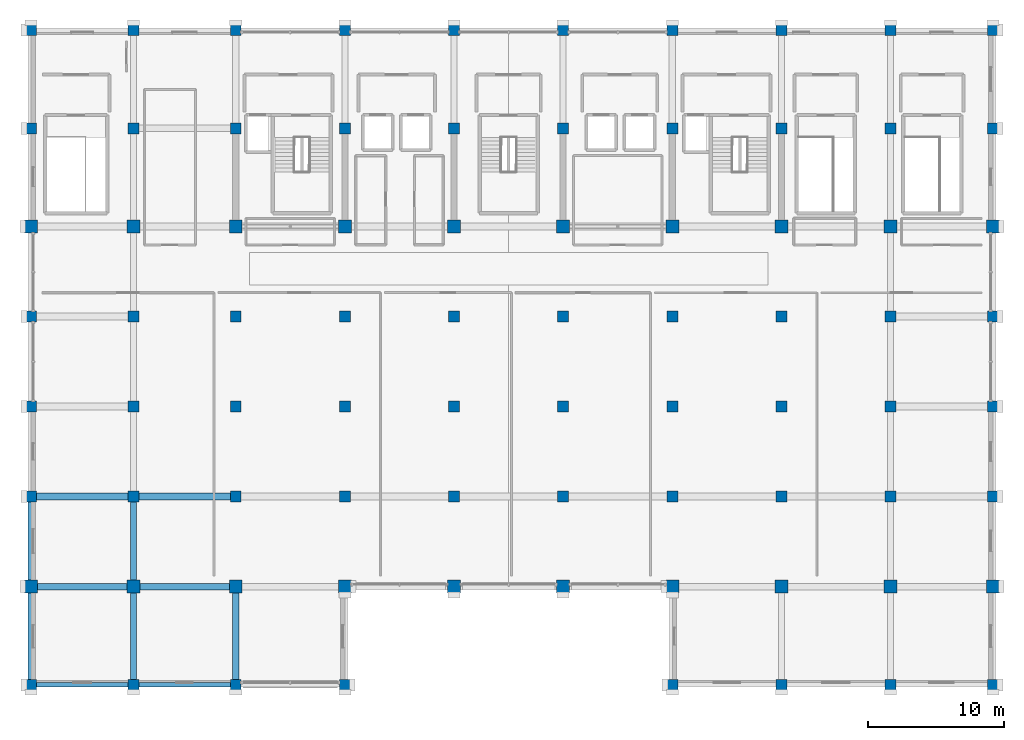
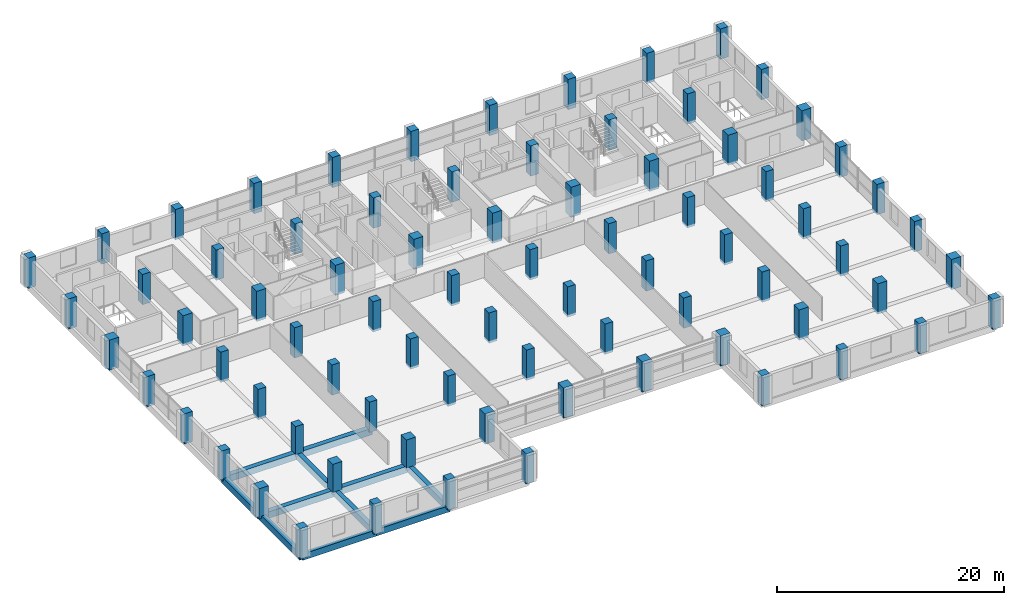
# One storey, part 1 of 21: 78 columns, 11 beams.
"""IFC4 building model written with IfcOpenShell, lengths in metres."""

import ifcopenshell
import ifcopenshell.guid

model = None  # the IFC model being written
_history = None  # IfcOwnerHistory: only IFC2X3 demands one
_inside = {}  # id of a spatial element -> (the spatial element, [elements in it])
_under = {}  # id of a project, library or spatial element -> (it, [spatial elements below it])
_declared = {}  # id of a project -> (the project, [libraries it declares])
_typed = {}  # id of a type object -> (the type object, [elements of that type])
_made_of = {}  # id of a material, layer set ... -> (it, [elements and type objects made of it])


def new_model(schema):
    """Start an empty IFC model of exactly this schema.

    Asked for "IFC4X3", IfcOpenShell would pick the latest addendum, in which some entities
    have other attributes; the version numbers below select the first issue.
    IFC2X3 requires an IfcOwnerHistory on every rooted entity: one is made here for all.
    """
    global model, _history
    if schema == "IFC4X3":
        model = ifcopenshell.file(schema_version=(4, 3, 0, 0))
    else:
        model = ifcopenshell.file(schema=schema)
    _inside.clear()
    _under.clear()
    _declared.clear()
    _typed.clear()
    _made_of.clear()
    _history = None
    if model.schema == "IFC2X3":
        org = make("IfcOrganization", Name="unknown")
        user = make(
            "IfcPersonAndOrganization",
            ThePerson=make("IfcPerson", FamilyName="unknown"),
            TheOrganization=org,
        )
        app = make(
            "IfcApplication",
            ApplicationDeveloper=org,
            Version="unknown",
            ApplicationFullName="unknown",
            ApplicationIdentifier="unknown",
        )
        _history = make(
            "IfcOwnerHistory",
            OwningUser=user,
            OwningApplication=app,
            ChangeAction="ADDED",
            CreationDate=0,
        )
    return model


def make(cls, **values):
    """One entity of the class cls with the attributes given. An attribute that is None is left unset."""
    return model.create_entity(
        cls, **{name: value for name, value in values.items() if value is not None}
    )


def rooted(cls, **values):
    """An entity with a GlobalId (a new one), such as an element, a storey or a relation."""
    return make(cls, GlobalId=ifcopenshell.guid.new(), OwnerHistory=_history, **values)


def si_unit(unit_type, name, prefix=None):
    """IfcSIUnit, for example si_unit("LENGTHUNIT", "METRE", prefix="MILLI")."""
    return make("IfcSIUnit", UnitType=unit_type, Prefix=prefix, Name=name)


def assignment(units):
    """IfcUnitAssignment: the units of a project."""
    return None if units is None else make("IfcUnitAssignment", Units=units)


def point(xyz):
    """IfcCartesianPoint."""
    return None if xyz is None else make("IfcCartesianPoint", Coordinates=xyz)


def direction(xyz):
    """IfcDirection."""
    return None if xyz is None else make("IfcDirection", DirectionRatios=xyz)


def frame(location, z_axis=None, x_axis=None):
    """IfcAxis2Placement3D, a coordinate frame: its origin and axes. An axis left out is left unset."""
    return make(
        "IfcAxis2Placement3D",
        Location=point(location),
        Axis=direction(z_axis),
        RefDirection=direction(x_axis),
    )


def frame_2d(location, x_axis=None):
    """IfcAxis2Placement2D, a coordinate frame in the plane: its origin and x axis."""
    return make(
        "IfcAxis2Placement2D", Location=point(location), RefDirection=direction(x_axis)
    )


def origin():
    """The frame at (0, 0, 0) with its axes left unset."""
    return frame((0.0, 0.0, 0.0))


def origin_2d():
    """The frame at (0, 0) in the plane with its x axis left unset."""
    return frame_2d((0.0, 0.0))


def place(relative_to, where):
    """IfcLocalPlacement: puts the frame where relative to a parent placement (None: the world)."""
    return make(
        "IfcLocalPlacement", PlacementRelTo=relative_to, RelativePlacement=where
    )


def context(
    kind, dimensions, precision=None, world=None, true_north=None, identifier=None
):
    """IfcGeometricRepresentationContext, for example the 3D "Model" context."""
    return make(
        "IfcGeometricRepresentationContext",
        ContextIdentifier=identifier,
        ContextType=kind,
        CoordinateSpaceDimension=dimensions,
        Precision=precision,
        WorldCoordinateSystem=world,
        TrueNorth=true_north,
    )


def subcontext(parent, identifier, kind, view, scale=None):
    """IfcGeometricRepresentationSubContext, for example "Body" below "Model"."""
    return make(
        "IfcGeometricRepresentationSubContext",
        ContextIdentifier=identifier,
        ContextType=kind,
        ParentContext=parent,
        TargetScale=scale,
        TargetView=view,
    )


def project(units=None, contexts=None):
    """IfcProject with its units and contexts."""
    return rooted(
        "IfcProject",
        Name="project",
        RepresentationContexts=contexts,
        UnitsInContext=assignment(units),
    )


def spatial(cls, under=None, at=None, **own):
    """A site, building, storey or space (cls), placed at a placement, below another one or the project."""
    s = rooted(cls, ObjectPlacement=at, **own)
    if under is not None:
        _under.setdefault(under.id(), (under, []))[1].append(s)
    return s


def profile(cls, at=None, kind="AREA", **sizes):
    """A parametric profile (cls). Its sizes go by their IFC names, for example OverallWidth=200.0."""
    return make(cls, ProfileType=kind, Position=at, **sizes)


def rectangle(**sizes):
    """IfcRectangleProfileDef."""
    return profile("IfcRectangleProfileDef", **sizes)


def extrude(swept, where, along, depth):
    """IfcExtrudedAreaSolid: the profile swept, set in the frame where, extruded along a direction by depth."""
    return make(
        "IfcExtrudedAreaSolid",
        SweptArea=swept,
        Position=where,
        ExtrudedDirection=direction(along),
        Depth=depth,
    )


def shape(context_of_items, identifier, shape_type, items):
    """IfcShapeRepresentation: the items that make up one representation, for example the "Body"."""
    return make(
        "IfcShapeRepresentation",
        ContextOfItems=context_of_items,
        RepresentationIdentifier=identifier,
        RepresentationType=shape_type,
        Items=items,
    )


def material(Name=None, Category=None):
    """IfcMaterial."""
    return make("IfcMaterial", Name=Name, Category=Category)


def material_profile(
    of_material, cross_section, Name=None, Category=None, Priority=None
):
    """IfcMaterialProfile: a cross section and its material."""
    return make(
        "IfcMaterialProfile",
        Name=Name,
        Material=of_material,
        Profile=cross_section,
        Priority=Priority,
        Category=Category,
    )


def profile_set(profiles, Name=None, composite=None):
    """IfcMaterialProfileSet."""
    return make(
        "IfcMaterialProfileSet",
        Name=Name,
        MaterialProfiles=profiles,
        CompositeProfile=composite,
    )


def made_of(thing, what):
    """Note that an element or type object is made of a material, layer set ...; save() writes the relation."""
    if what is not None:
        _made_of.setdefault(what.id(), (what, []))[1].append(thing)
    return thing


def type_object(cls, material=None, **own):
    """A type object (cls), such as IfcWallType, which elements share."""
    return made_of(rooted(cls, **own), material)


def element(
    cls,
    number,
    at=None,
    inside=None,
    cuts=None,
    type_object=None,
    material=None,
    context=None,
    identifier="Body",
    shape_type=None,
    held_by="IfcProductDefinitionShape",
    body=None,
    shapes=None,
    **own,
):
    """One element of the class cls, such as IfcWall. Its Tag is "e" and its number.

    at: its placement. inside: the storey or other place that contains it. cuts: it is an
    opening in that element (IfcRelVoidsElement). A single representation is given by context,
    identifier, shape_type and body (its items); several are given by shapes. held_by: the class
    of the entity that holds the representations. save() writes the other relations.
    """
    e = rooted(cls, Tag="e%d" % number, ObjectPlacement=at, **own)
    if body is not None:
        shapes = [shape(context, identifier, shape_type, body)]
    if shapes is not None:
        e.Representation = make(held_by, Representations=shapes)
    if inside is not None:
        _inside.setdefault(inside.id(), (inside, []))[1].append(e)
    if cuts is not None:
        rooted(
            "IfcRelVoidsElement", RelatingBuildingElement=cuts, RelatedOpeningElement=e
        )
    if type_object is not None:
        _typed.setdefault(type_object.id(), (type_object, []))[1].append(e)
    return made_of(e, material)


def aggregate(whole, parts):
    """IfcRelAggregates: a whole, such as a stair, and the parts it consists of."""
    return rooted("IfcRelAggregates", RelatingObject=whole, RelatedObjects=parts)


def save(model, path):
    """Write the relations noted so far, then the file.

    IfcRelAggregates (storeys below a building ...), IfcRelContainedInSpatialStructure (elements
    in a storey), IfcRelDefinesByType, IfcRelAssociatesMaterial and IfcRelDeclares: one each for
    every whole, place, type object, material and project.
    """
    for whole, parts in _under.values():
        aggregate(whole, parts)
    for where, things in _inside.values():
        rooted(
            "IfcRelContainedInSpatialStructure",
            RelatedElements=things,
            RelatingStructure=where,
        )
    for kind, things in _typed.values():
        rooted("IfcRelDefinesByType", RelatedObjects=things, RelatingType=kind)
    for what, things in _made_of.values():
        rooted("IfcRelAssociatesMaterial", RelatedObjects=things, RelatingMaterial=what)
    for by, libraries in _declared.values():
        rooted("IfcRelDeclares", RelatingContext=by, RelatedDefinitions=libraries)
    model.write(path)


model = new_model("IFC4")

# Units and contexts
model_context = context("Model", 3, precision=1e-05, world=origin(), true_north=direction((0.0, 1.0)))
body_context = subcontext(model_context, "Body", "Model", "MODEL_VIEW")
ifc_project = project(units=[si_unit("LENGTHUNIT", "METRE"), si_unit("AREAUNIT", "SQUARE_METRE"), si_unit("VOLUMEUNIT", "CUBIC_METRE"), si_unit("PLANEANGLEUNIT", "RADIAN"), si_unit("MASSUNIT", "GRAM", prefix="KILO")], contexts=[model_context])

# Site, building, storey
site_placement = place(None, origin())
site = spatial("IfcSite", under=ifc_project, at=site_placement, CompositionType="ELEMENT")
building_placement = place(site_placement, origin())
building = spatial("IfcBuilding", under=site, at=building_placement, Name="Akrevak Sports Hall", CompositionType="ELEMENT")
storey_placement = place(building_placement, frame((0.0, 0.0, 37.300048828125)))
storey = spatial("IfcBuildingStorey", under=building, at=storey_placement, Name="L08", CompositionType="ELEMENT", Elevation=37.300048828125)

# Columns
ifc_material_1 = material(Name="Concrete C40/50", Category="concrete")
ifc_material_profile_1 = material_profile(ifc_material_1, rectangle(XDim=0.800048828125, YDim=0.800048828125, at=origin_2d()), Name="RC 800x800", Category="concrete")
ifc_profile_set_1 = profile_set([ifc_material_profile_1], Name="Concrete C40/50")
column_type_1 = type_object("IfcColumnType", Name="STR-COL-RC800", PredefinedType="COLUMN", material=ifc_profile_set_1)
for number, where, z_axis, x_axis, name in (
    (1, (45.0, 21.60009765625, -0.25), (0.0, 0.0, 1.0), (1.0, 0.0, 0.0), "Column 7/D (L08)"),
    (2, (45.0, 35.39990234375, -0.25), (0.0, 0.0, 1.0), (1.0, 0.0, 0.0), "Column 7/F (L08)"),
    (3, (45.0, 42.0, -0.25), (0.0, 0.0, 1.0), (1.0, 0.0, 0.0), "Column 7/G (L08)"),
    (4, (45.0, 48.60009765625, -0.25), (0.0, 0.0, 1.0), (1.0, 0.0, 0.0), "Column 7/H (L08)"),
    (5, (45.0, 62.39990234375, -0.25), (0.0, 0.0, 1.0), (1.0, 0.0, 0.0), "Column 7/J (L08)"),
    (6, (45.0, 69.60009765625, -0.25), (0.0, 0.0, 1.0), (1.0, 0.0, 0.0), "Column 7/K (L08)"),
    (7, (52.5, 21.60009765625, -0.25), (0.0, 0.0, 1.0), (1.0, 0.0, 0.0), "Column 8/D (L08)"),
    (8, (52.5, 35.39990234375, -0.25), (0.0, 0.0, 1.0), (1.0, 0.0, 0.0), "Column 8/F (L08)"),
    (9, (52.5, 42.0, -0.25), (0.0, 0.0, 1.0), (1.0, 0.0, 0.0), "Column 8/G (L08)"),
    (10, (52.5, 48.60009765625, -0.25), (0.0, 0.0, 1.0), (1.0, 0.0, 0.0), "Column 8/H (L08)"),
    (11, (52.5, 62.39990234375, -0.25), (0.0, 0.0, 1.0), (1.0, 0.0, 0.0), "Column 8/J (L08)"),
    (12, (52.5, 69.60009765625, -0.25), (0.0, 0.0, 1.0), (1.0, 0.0, 0.0), "Column 8/K (L08)"),
    (13, (60.0, 21.60009765625, -0.25), (0.0, 0.0, 1.0), (1.0, 0.0, 0.0), "Column 9/D (L08)"),
    (14, (60.0, 35.39990234375, -0.25), (0.0, 0.0, 1.0), (1.0, 0.0, 0.0), "Column 9/F (L08)"),
    (15, (60.0, 42.0, -0.25), (0.0, 0.0, 1.0), (1.0, 0.0, 0.0), "Column 9/G (L08)"),
    (16, (60.0, 48.60009765625, -0.25), (0.0, 0.0, 1.0), (1.0, 0.0, 0.0), "Column 9/H (L08)"),
    (17, (60.0, 62.39990234375, -0.25), (0.0, 0.0, 1.0), (1.0, 0.0, 0.0), "Column 9/J (L08)"),
    (18, (60.0, 69.60009765625, -0.25), (0.0, 0.0, 1.0), (1.0, 0.0, 0.0), "Column 9/K (L08)"),
    (19, (68.0, 21.60009765625, -0.25), (0.0, 0.0, 1.0), (1.0, 0.0, 0.0), "Column 10/D (L08)"),
    (20, (68.0, 35.39990234375, -0.25), (0.0, 0.0, 1.0), (1.0, 0.0, 0.0), "Column 10/F (L08)"),
    (21, (68.0, 42.0, -0.25), (0.0, 0.0, 1.0), (1.0, 0.0, 0.0), "Column 10/G (L08)"),
    (22, (68.0, 48.60009765625, -0.25), (0.0, 0.0, 1.0), (1.0, 0.0, 0.0), "Column 10/H (L08)"),
    (23, (68.0, 62.39990234375, -0.25), (0.0, 0.0, 1.0), (1.0, 0.0, 0.0), "Column 10/J (L08)"),
    (24, (68.0, 69.60009765625, -0.25), (0.0, 0.0, 1.0), (1.0, 0.0, 0.0), "Column 10/K (L08)"),
    (25, (76.0, 35.39990234375, -0.25), (0.0, 0.0, 1.0), (1.0, 0.0, 0.0), "Column 11/F (L08)"),
    (26, (76.0, 42.0, -0.25), (0.0, 0.0, 1.0), (1.0, 0.0, 0.0), "Column 11/G (L08)"),
    (27, (76.0, 48.60009765625, -0.25), (0.0, 0.0, 1.0), (1.0, 0.0, 0.0), "Column 11/H (L08)"),
    (28, (76.0, 62.39990234375, -0.25), (0.0, 0.0, 1.0), (1.0, 0.0, 0.0), "Column 11/J (L08)"),
    (29, (76.0, 69.60009765625, -0.25), (0.0, 0.0, 1.0), (1.0, 0.0, 0.0), "Column 11/K (L08)"),
    (30, (84.0, 35.39990234375, -0.25), (0.0, 0.0, 1.0), (1.0, 0.0, 0.0), "Column 12/F (L08)"),
    (31, (84.0, 42.0, -0.25), (0.0, 0.0, 1.0), (1.0, 0.0, 0.0), "Column 12/G (L08)"),
    (32, (84.0, 48.60009765625, -0.25), (0.0, 0.0, 1.0), (1.0, 0.0, 0.0), "Column 12/H (L08)"),
    (33, (84.0, 62.39990234375, -0.25), (0.0, 0.0, 1.0), (1.0, 0.0, 0.0), "Column 12/J (L08)"),
    (34, (84.0, 69.60009765625, -0.25), (0.0, 0.0, 1.0), (1.0, 0.0, 0.0), "Column 12/K (L08)"),
    (35, (92.0, 21.60009765625, -0.25), (0.0, 0.0, 1.0), (1.0, 0.0, 0.0), "Column 13/D (L08)"),
    (36, (92.0, 35.39990234375, -0.25), (0.0, 0.0, 1.0), (1.0, 0.0, 0.0), "Column 13/F (L08)"),
    (37, (92.0, 42.0, -0.25), (0.0, 0.0, 1.0), (1.0, 0.0, 0.0), "Column 13/G (L08)"),
    (38, (92.0, 48.60009765625, -0.25), (0.0, 0.0, 1.0), (1.0, 0.0, 0.0), "Column 13/H (L08)"),
    (39, (92.0, 62.39990234375, -0.25), (0.0, 0.0, 1.0), (1.0, 0.0, 0.0), "Column 13/J (L08)"),
    (40, (92.0, 69.60009765625, -0.25), (0.0, 0.0, 1.0), (1.0, 0.0, 0.0), "Column 13/K (L08)"),
    (41, (100.0, 21.60009765625, -0.25), (0.0, 0.0, 1.0), (1.0, 0.0, 0.0), "Column 14/D (L08)"),
    (42, (100.0, 35.39990234375, -0.25), (0.0, 0.0, 1.0), (1.0, 0.0, 0.0), "Column 14/F (L08)"),
    (43, (100.0, 42.0, -0.25), (0.0, 0.0, 1.0), (1.0, 0.0, 0.0), "Column 14/G (L08)"),
    (44, (100.0, 48.60009765625, -0.25), (0.0, 0.0, 1.0), (1.0, 0.0, 0.0), "Column 14/H (L08)"),
    (45, (100.0, 62.39990234375, -0.25), (0.0, 0.0, 1.0), (1.0, 0.0, 0.0), "Column 14/J (L08)"),
    (46, (100.0, 69.60009765625, -0.25), (0.0, 0.0, 1.0), (1.0, 0.0, 0.0), "Column 14/K (L08)"),
    (47, (108.0, 21.60009765625, -0.25), (0.0, 0.0, 1.0), (1.0, 0.0, 0.0), "Column 15/D (L08)"),
    (48, (108.0, 35.39990234375, -0.25), (0.0, 0.0, 1.0), (1.0, 0.0, 0.0), "Column 15/F (L08)"),
    (49, (108.0, 42.0, -0.25), (0.0, 0.0, 1.0), (1.0, 0.0, 0.0), "Column 15/G (L08)"),
    (50, (108.0, 48.60009765625, -0.25), (0.0, 0.0, 1.0), (1.0, 0.0, 0.0), "Column 15/H (L08)"),
    (51, (108.0, 62.39990234375, -0.25), (0.0, 0.0, 1.0), (1.0, 0.0, 0.0), "Column 15/J (L08)"),
    (52, (108.0, 69.60009765625, -0.25), (0.0, 0.0, 1.0), (1.0, 0.0, 0.0), "Column 15/K (L08)"),
    (53, (115.5, 21.60009765625, -0.25), (0.0, 0.0, 1.0), (1.0, 0.0, 0.0), "Column 16/D (L08)"),
    (54, (115.5, 35.39990234375, -0.25), (0.0, 0.0, 1.0), (1.0, 0.0, 0.0), "Column 16/F (L08)"),
    (55, (115.5, 42.0, -0.25), (0.0, 0.0, 1.0), (1.0, 0.0, 0.0), "Column 16/G (L08)"),
    (56, (115.5, 48.60009765625, -0.25), (0.0, 0.0, 1.0), (1.0, 0.0, 0.0), "Column 16/H (L08)"),
    (57, (115.5, 62.39990234375, -0.25), (0.0, 0.0, 1.0), (1.0, 0.0, 0.0), "Column 16/J (L08)"),
    (58, (115.5, 69.60009765625, -0.25), (0.0, 0.0, 1.0), (1.0, 0.0, 0.0), "Column 16/K (L08)"),
):
    element("IfcColumn", number, at=place(storey_placement, frame(where, z_axis=z_axis, x_axis=x_axis)), inside=storey, type_object=column_type_1, Name=name, PredefinedType="COLUMN", context=body_context, shape_type="SweptSolid", body=[
        extrude(rectangle(XDim=0.800048828125, YDim=0.800048828125, at=origin_2d()), origin(), (0.0, 0.0, 1.0), 3.260009765625),
    ])
ifc_material_2 = material(Name="Concrete C50/60", Category="concrete")
ifc_material_profile_2 = material_profile(ifc_material_2, rectangle(XDim=0.949951171875, YDim=0.949951171875, at=origin_2d()), Name="RC 950x950", Category="concrete")
ifc_profile_set_2 = profile_set([ifc_material_profile_2], Name="Concrete C50/60")
column_type_2 = type_object("IfcColumnType", Name="STR-COL-RC950", PredefinedType="COLUMN", material=ifc_profile_set_2)
for number, where, z_axis, x_axis, name in (
    (59, (45.0, 28.800048828125, -0.25), (0.0, 0.0, 1.0), (1.0, 0.0, 0.0), "Column 7/E (L08)"),
    (60, (45.0, 55.199951171875, -0.25), (0.0, 0.0, 1.0), (1.0, 0.0, 0.0), "Column 7/I (L08)"),
    (61, (52.5, 28.800048828125, -0.25), (0.0, 0.0, 1.0), (1.0, 0.0, 0.0), "Column 8/E (L08)"),
    (62, (52.5, 55.199951171875, -0.25), (0.0, 0.0, 1.0), (1.0, 0.0, 0.0), "Column 8/I (L08)"),
    (63, (60.0, 28.800048828125, -0.25), (0.0, 0.0, 1.0), (1.0, 0.0, 0.0), "Column 9/E (L08)"),
    (64, (60.0, 55.199951171875, -0.25), (0.0, 0.0, 1.0), (1.0, 0.0, 0.0), "Column 9/I (L08)"),
    (65, (68.0, 28.800048828125, -0.25), (0.0, 0.0, 1.0), (1.0, 0.0, 0.0), "Column 10/E (L08)"),
    (66, (68.0, 55.199951171875, -0.25), (0.0, 0.0, 1.0), (1.0, 0.0, 0.0), "Column 10/I (L08)"),
    (67, (76.0, 28.800048828125, -0.25), (0.0, 0.0, 1.0), (1.0, 0.0, 0.0), "Column 11/E (L08)"),
    (68, (76.0, 55.199951171875, -0.25), (0.0, 0.0, 1.0), (1.0, 0.0, 0.0), "Column 11/I (L08)"),
    (69, (84.0, 28.800048828125, -0.25), (0.0, 0.0, 1.0), (1.0, 0.0, 0.0), "Column 12/E (L08)"),
    (70, (84.0, 55.199951171875, -0.25), (0.0, 0.0, 1.0), (1.0, 0.0, 0.0), "Column 12/I (L08)"),
    (71, (92.0, 28.800048828125, -0.25), (0.0, 0.0, 1.0), (1.0, 0.0, 0.0), "Column 13/E (L08)"),
    (72, (92.0, 55.199951171875, -0.25), (0.0, 0.0, 1.0), (1.0, 0.0, 0.0), "Column 13/I (L08)"),
    (73, (100.0, 28.800048828125, -0.25), (0.0, 0.0, 1.0), (1.0, 0.0, 0.0), "Column 14/E (L08)"),
    (74, (100.0, 55.199951171875, -0.25), (0.0, 0.0, 1.0), (1.0, 0.0, 0.0), "Column 14/I (L08)"),
    (75, (108.0, 28.800048828125, -0.25), (0.0, 0.0, 1.0), (1.0, 0.0, 0.0), "Column 15/E (L08)"),
    (76, (108.0, 55.199951171875, -0.25), (0.0, 0.0, 1.0), (1.0, 0.0, 0.0), "Column 15/I (L08)"),
    (77, (115.5, 28.800048828125, -0.25), (0.0, 0.0, 1.0), (1.0, 0.0, 0.0), "Column 16/E (L08)"),
    (78, (115.5, 55.199951171875, -0.25), (0.0, 0.0, 1.0), (1.0, 0.0, 0.0), "Column 16/I (L08)"),
):
    element("IfcColumn", number, at=place(storey_placement, frame(where, z_axis=z_axis, x_axis=x_axis)), inside=storey, type_object=column_type_2, Name=name, PredefinedType="COLUMN", context=body_context, shape_type="SweptSolid", body=[
        extrude(rectangle(XDim=0.949951171875, YDim=0.949951171875, at=origin_2d()), origin(), (0.0, 0.0, 1.0), 3.260009765625),
    ])

# Beams
ifc_material_profile_3 = material_profile(ifc_material_1, rectangle(XDim=0.449951171875, YDim=0.699951171875, at=origin_2d()), Name="BM 450x700", Category="concrete")
ifc_profile_set_3 = profile_set([ifc_material_profile_3], Name="Concrete C40/50")
beam_type_1 = type_object("IfcBeamType", Name="STR-BM-RC450x700", PredefinedType="BEAM", material=ifc_profile_set_3)
beam_1_placement = place(storey_placement, frame((45.0, 21.60009765625, -0.35009765625), z_axis=(0.0, 1.0, 0.0), x_axis=(-1.0, 0.0, 0.0)))
element("IfcBeam", 79, at=beam_1_placement, inside=storey, type_object=beam_type_1, Name="Girder 7/D-E (L08)", PredefinedType="BEAM", context=body_context, shape_type="SweptSolid", body=[
    extrude(rectangle(XDim=0.449951171875, YDim=0.699951171875, at=origin_2d()), origin(), (0.0, 0.0, 1.0), 7.199951171875),
])
beam_2_placement = place(storey_placement, frame((45.0, 28.800048828125, -0.35009765625), z_axis=(0.0, 1.0, 0.0), x_axis=(-1.0, 0.0, 0.0)))
element("IfcBeam", 80, at=beam_2_placement, inside=storey, type_object=beam_type_1, Name="Girder 7/E-F (L08)", PredefinedType="BEAM", context=body_context, shape_type="SweptSolid", body=[
    extrude(rectangle(XDim=0.449951171875, YDim=0.699951171875, at=origin_2d()), origin(), (0.0, 0.0, 1.0), 6.599853515625),
])
beam_3_placement = place(storey_placement, frame((52.5, 21.60009765625, -0.35009765625), z_axis=(0.0, 1.0, 0.0), x_axis=(-1.0, 0.0, 0.0)))
element("IfcBeam", 81, at=beam_3_placement, inside=storey, type_object=beam_type_1, Name="Girder 8/D-E (L08)", PredefinedType="BEAM", context=body_context, shape_type="SweptSolid", body=[
    extrude(rectangle(XDim=0.449951171875, YDim=0.699951171875, at=origin_2d()), origin(), (0.0, 0.0, 1.0), 7.199951171875),
])
beam_4_placement = place(storey_placement, frame((52.5, 28.800048828125, -0.35009765625), z_axis=(0.0, 1.0, 0.0), x_axis=(-1.0, 0.0, 0.0)))
element("IfcBeam", 82, at=beam_4_placement, inside=storey, type_object=beam_type_1, Name="Girder 8/E-F (L08)", PredefinedType="BEAM", context=body_context, shape_type="SweptSolid", body=[
    extrude(rectangle(XDim=0.449951171875, YDim=0.699951171875, at=origin_2d()), origin(), (0.0, 0.0, 1.0), 6.599853515625),
])
beam_5_placement = place(storey_placement, frame((60.0, 21.60009765625, -0.35009765625), z_axis=(0.0, 1.0, 0.0), x_axis=(-1.0, 0.0, 0.0)))
element("IfcBeam", 83, at=beam_5_placement, inside=storey, type_object=beam_type_1, Name="Girder 9/D-E (L08)", PredefinedType="BEAM", context=body_context, shape_type="SweptSolid", body=[
    extrude(rectangle(XDim=0.449951171875, YDim=0.699951171875, at=origin_2d()), origin(), (0.0, 0.0, 1.0), 7.199951171875),
])
ifc_material_profile_4 = material_profile(ifc_material_1, rectangle(XDim=0.5, YDim=0.699951171875, at=origin_2d()), Name="BM 500x700", Category="concrete")
ifc_profile_set_4 = profile_set([ifc_material_profile_4], Name="Concrete C40/50")
beam_type_2 = type_object("IfcBeamType", Name="STR-BM-RC500x700", PredefinedType="BEAM", material=ifc_profile_set_4)
for number, where, z_axis, x_axis, name in (
    (84, (45.0, 28.800048828125, -0.35009765625), (1.0, 0.0, 0.0), (0.0, 1.0, 0.0), "Girder E/7-8 (L08)"),
    (85, (52.5, 28.800048828125, -0.35009765625), (1.0, 0.0, 0.0), (0.0, 1.0, 0.0), "Girder E/8-9 (L08)"),
    (86, (45.0, 35.39990234375, -0.35009765625), (1.0, 0.0, 0.0), (0.0, 1.0, 0.0), "Girder F/7-8 (L08)"),
    (87, (52.5, 35.39990234375, -0.35009765625), (1.0, 0.0, 0.0), (0.0, 1.0, 0.0), "Girder F/8-9 (L08)"),
):
    element("IfcBeam", number, at=place(storey_placement, frame(where, z_axis=z_axis, x_axis=x_axis)), inside=storey, type_object=beam_type_2, Name=name, PredefinedType="BEAM", context=body_context, shape_type="SweptSolid", body=[
        extrude(rectangle(XDim=0.5, YDim=0.699951171875, at=origin_2d()), origin(), (0.0, 0.0, 1.0), 7.5),
    ])
ifc_material_profile_5 = material_profile(ifc_material_1, rectangle(XDim=0.320068359375, YDim=0.679931640625, at=origin_2d()), Name="SPD 320x680", Category="concrete")
ifc_profile_set_5 = profile_set([ifc_material_profile_5], Name="Concrete C40/50")
beam_type_3 = type_object("IfcBeamType", Name="STR-SPD-RC320x680", PredefinedType="SPANDREL", material=ifc_profile_set_5)
for number, where, z_axis, x_axis, name in (
    (88, (45.0, 21.60009765625, -0.340087890625), (1.0, 0.0, 0.0), (0.0, 1.0, 0.0), "Girder D/7-8 (L08)"),
    (89, (52.5, 21.60009765625, -0.340087890625), (1.0, 0.0, 0.0), (0.0, 1.0, 0.0), "Girder D/8-9 (L08)"),
):
    element("IfcBeam", number, at=place(storey_placement, frame(where, z_axis=z_axis, x_axis=x_axis)), inside=storey, type_object=beam_type_3, Name=name, PredefinedType="SPANDREL", context=body_context, shape_type="SweptSolid", body=[
        extrude(rectangle(XDim=0.320068359375, YDim=0.679931640625, at=origin_2d()), origin(), (0.0, 0.0, 1.0), 7.5),
    ])

save(model, "model.ifc")
